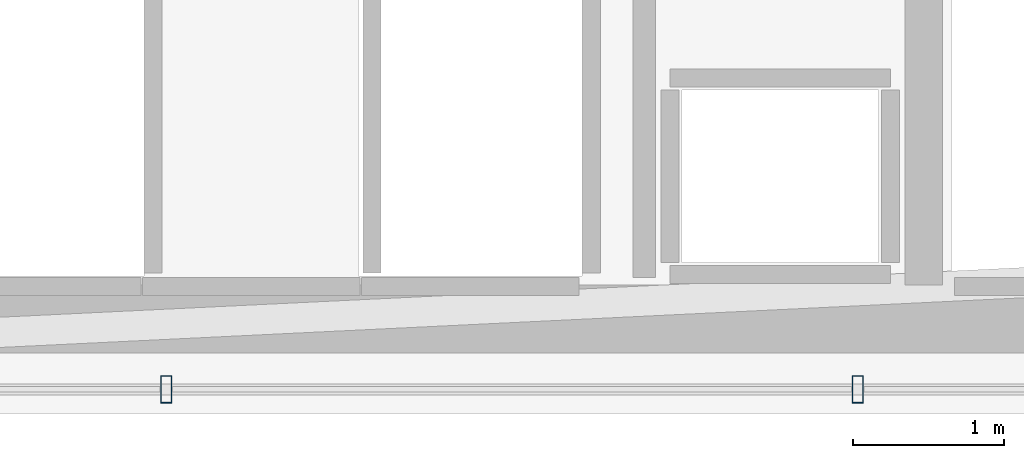
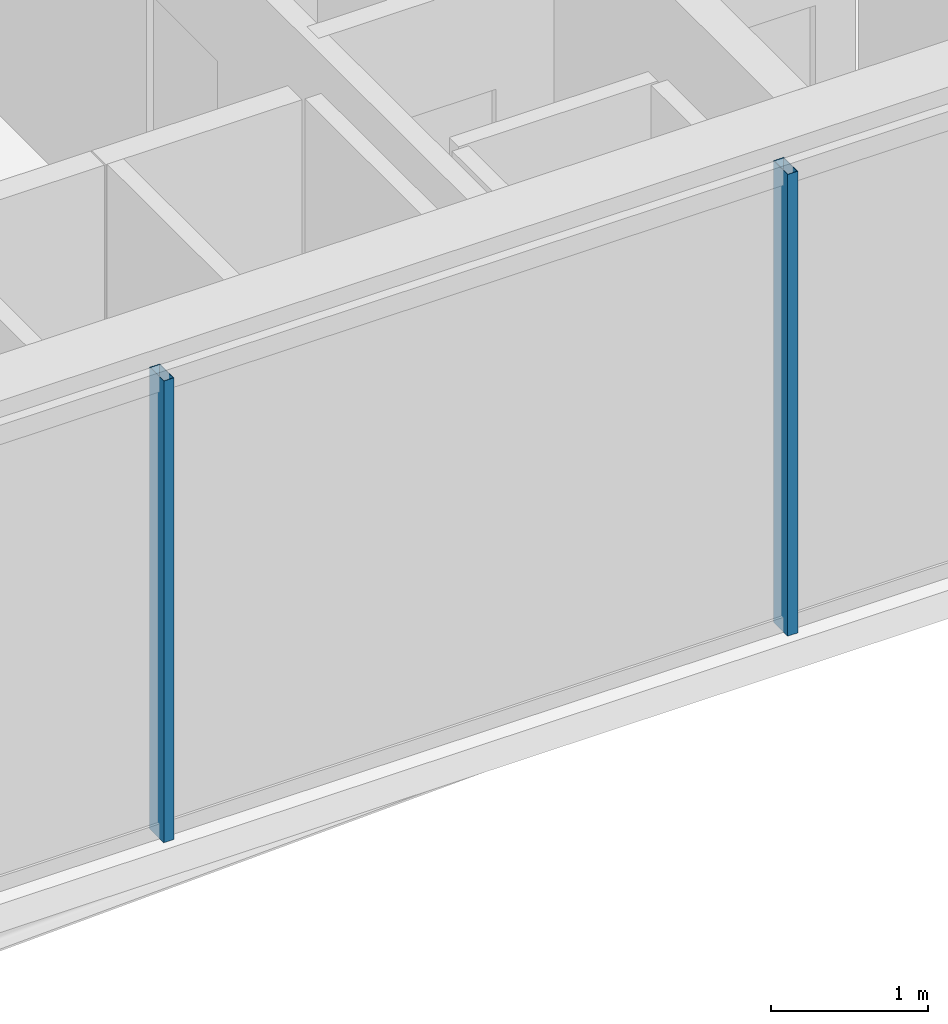
# One storey, part 9 of 32: 2 members, 1 element without a shape of its own.
"""IFC4 building model written with IfcOpenShell, lengths in metres."""

import ifcopenshell
import ifcopenshell.guid

model = None  # the IFC model being written
_history = None  # IfcOwnerHistory: only IFC2X3 demands one
_inside = {}  # id of a spatial element -> (the spatial element, [elements in it])
_under = {}  # id of a project, library or spatial element -> (it, [spatial elements below it])
_declared = {}  # id of a project -> (the project, [libraries it declares])
_typed = {}  # id of a type object -> (the type object, [elements of that type])
_made_of = {}  # id of a material, layer set ... -> (it, [elements and type objects made of it])


def new_model(schema):
    """Start an empty IFC model of exactly this schema.

    Asked for "IFC4X3", IfcOpenShell would pick the latest addendum, in which some entities
    have other attributes; the version numbers below select the first issue.
    IFC2X3 requires an IfcOwnerHistory on every rooted entity: one is made here for all.
    """
    global model, _history
    if schema == "IFC4X3":
        model = ifcopenshell.file(schema_version=(4, 3, 0, 0))
    else:
        model = ifcopenshell.file(schema=schema)
    _inside.clear()
    _under.clear()
    _declared.clear()
    _typed.clear()
    _made_of.clear()
    _history = None
    if model.schema == "IFC2X3":
        org = make("IfcOrganization", Name="unknown")
        user = make(
            "IfcPersonAndOrganization",
            ThePerson=make("IfcPerson", FamilyName="unknown"),
            TheOrganization=org,
        )
        app = make(
            "IfcApplication",
            ApplicationDeveloper=org,
            Version="unknown",
            ApplicationFullName="unknown",
            ApplicationIdentifier="unknown",
        )
        _history = make(
            "IfcOwnerHistory",
            OwningUser=user,
            OwningApplication=app,
            ChangeAction="ADDED",
            CreationDate=0,
        )
    return model


def make(cls, **values):
    """One entity of the class cls with the attributes given. An attribute that is None is left unset."""
    return model.create_entity(
        cls, **{name: value for name, value in values.items() if value is not None}
    )


def rooted(cls, **values):
    """An entity with a GlobalId (a new one), such as an element, a storey or a relation."""
    return make(cls, GlobalId=ifcopenshell.guid.new(), OwnerHistory=_history, **values)


def si_unit(unit_type, name, prefix=None):
    """IfcSIUnit, for example si_unit("LENGTHUNIT", "METRE", prefix="MILLI")."""
    return make("IfcSIUnit", UnitType=unit_type, Prefix=prefix, Name=name)


def assignment(units):
    """IfcUnitAssignment: the units of a project."""
    return None if units is None else make("IfcUnitAssignment", Units=units)


def point(xyz):
    """IfcCartesianPoint."""
    return None if xyz is None else make("IfcCartesianPoint", Coordinates=xyz)


def direction(xyz):
    """IfcDirection."""
    return None if xyz is None else make("IfcDirection", DirectionRatios=xyz)


def frame(location, z_axis=None, x_axis=None):
    """IfcAxis2Placement3D, a coordinate frame: its origin and axes. An axis left out is left unset."""
    return make(
        "IfcAxis2Placement3D",
        Location=point(location),
        Axis=direction(z_axis),
        RefDirection=direction(x_axis),
    )


def frame_2d(location, x_axis=None):
    """IfcAxis2Placement2D, a coordinate frame in the plane: its origin and x axis."""
    return make(
        "IfcAxis2Placement2D", Location=point(location), RefDirection=direction(x_axis)
    )


def origin():
    """The frame at (0, 0, 0) with its axes left unset."""
    return frame((0.0, 0.0, 0.0))


def origin_2d():
    """The frame at (0, 0) in the plane with its x axis left unset."""
    return frame_2d((0.0, 0.0))


def place(relative_to, where):
    """IfcLocalPlacement: puts the frame where relative to a parent placement (None: the world)."""
    return make(
        "IfcLocalPlacement", PlacementRelTo=relative_to, RelativePlacement=where
    )


def context(
    kind, dimensions, precision=None, world=None, true_north=None, identifier=None
):
    """IfcGeometricRepresentationContext, for example the 3D "Model" context."""
    return make(
        "IfcGeometricRepresentationContext",
        ContextIdentifier=identifier,
        ContextType=kind,
        CoordinateSpaceDimension=dimensions,
        Precision=precision,
        WorldCoordinateSystem=world,
        TrueNorth=true_north,
    )


def subcontext(parent, identifier, kind, view, scale=None):
    """IfcGeometricRepresentationSubContext, for example "Body" below "Model"."""
    return make(
        "IfcGeometricRepresentationSubContext",
        ContextIdentifier=identifier,
        ContextType=kind,
        ParentContext=parent,
        TargetScale=scale,
        TargetView=view,
    )


def project(units=None, contexts=None):
    """IfcProject with its units and contexts."""
    return rooted(
        "IfcProject",
        Name="project",
        RepresentationContexts=contexts,
        UnitsInContext=assignment(units),
    )


def spatial(cls, under=None, at=None, **own):
    """A site, building, storey or space (cls), placed at a placement, below another one or the project."""
    s = rooted(cls, ObjectPlacement=at, **own)
    if under is not None:
        _under.setdefault(under.id(), (under, []))[1].append(s)
    return s


def profile(cls, at=None, kind="AREA", **sizes):
    """A parametric profile (cls). Its sizes go by their IFC names, for example OverallWidth=200.0."""
    return make(cls, ProfileType=kind, Position=at, **sizes)


def hollow_rectangle(**sizes):
    """IfcRectangleHollowProfileDef."""
    return profile("IfcRectangleHollowProfileDef", **sizes)


def extrude(swept, where, along, depth):
    """IfcExtrudedAreaSolid: the profile swept, set in the frame where, extruded along a direction by depth."""
    return make(
        "IfcExtrudedAreaSolid",
        SweptArea=swept,
        Position=where,
        ExtrudedDirection=direction(along),
        Depth=depth,
    )


def shape(context_of_items, identifier, shape_type, items):
    """IfcShapeRepresentation: the items that make up one representation, for example the "Body"."""
    return make(
        "IfcShapeRepresentation",
        ContextOfItems=context_of_items,
        RepresentationIdentifier=identifier,
        RepresentationType=shape_type,
        Items=items,
    )


def material(Name=None, Category=None):
    """IfcMaterial."""
    return make("IfcMaterial", Name=Name, Category=Category)


def layer(
    of_material, thickness, ventilated=None, Name=None, Category=None, Priority=None
):
    """IfcMaterialLayer: one layer of a wall or slab, of a material (None: an air gap)."""
    return make(
        "IfcMaterialLayer",
        Material=of_material,
        LayerThickness=thickness,
        IsVentilated=ventilated,
        Name=Name,
        Category=Category,
        Priority=Priority,
    )


def layer_set(layers, Name=None):
    """IfcMaterialLayerSet."""
    return make("IfcMaterialLayerSet", MaterialLayers=layers, LayerSetName=Name)


def material_profile(
    of_material, cross_section, Name=None, Category=None, Priority=None
):
    """IfcMaterialProfile: a cross section and its material."""
    return make(
        "IfcMaterialProfile",
        Name=Name,
        Material=of_material,
        Profile=cross_section,
        Priority=Priority,
        Category=Category,
    )


def profile_set(profiles, Name=None, composite=None):
    """IfcMaterialProfileSet."""
    return make(
        "IfcMaterialProfileSet",
        Name=Name,
        MaterialProfiles=profiles,
        CompositeProfile=composite,
    )


def made_of(thing, what):
    """Note that an element or type object is made of a material, layer set ...; save() writes the relation."""
    if what is not None:
        _made_of.setdefault(what.id(), (what, []))[1].append(thing)
    return thing


def type_object(cls, material=None, **own):
    """A type object (cls), such as IfcWallType, which elements share."""
    return made_of(rooted(cls, **own), material)


def element(
    cls,
    number,
    at=None,
    inside=None,
    cuts=None,
    type_object=None,
    material=None,
    context=None,
    identifier="Body",
    shape_type=None,
    held_by="IfcProductDefinitionShape",
    body=None,
    shapes=None,
    **own,
):
    """One element of the class cls, such as IfcWall. Its Tag is "e" and its number.

    at: its placement. inside: the storey or other place that contains it. cuts: it is an
    opening in that element (IfcRelVoidsElement). A single representation is given by context,
    identifier, shape_type and body (its items); several are given by shapes. held_by: the class
    of the entity that holds the representations. save() writes the other relations.
    """
    e = rooted(cls, Tag="e%d" % number, ObjectPlacement=at, **own)
    if body is not None:
        shapes = [shape(context, identifier, shape_type, body)]
    if shapes is not None:
        e.Representation = make(held_by, Representations=shapes)
    if inside is not None:
        _inside.setdefault(inside.id(), (inside, []))[1].append(e)
    if cuts is not None:
        rooted(
            "IfcRelVoidsElement", RelatingBuildingElement=cuts, RelatedOpeningElement=e
        )
    if type_object is not None:
        _typed.setdefault(type_object.id(), (type_object, []))[1].append(e)
    return made_of(e, material)


def aggregate(whole, parts):
    """IfcRelAggregates: a whole, such as a stair, and the parts it consists of."""
    return rooted("IfcRelAggregates", RelatingObject=whole, RelatedObjects=parts)


def save(model, path):
    """Write the relations noted so far, then the file.

    IfcRelAggregates (storeys below a building ...), IfcRelContainedInSpatialStructure (elements
    in a storey), IfcRelDefinesByType, IfcRelAssociatesMaterial and IfcRelDeclares: one each for
    every whole, place, type object, material and project.
    """
    for whole, parts in _under.values():
        aggregate(whole, parts)
    for where, things in _inside.values():
        rooted(
            "IfcRelContainedInSpatialStructure",
            RelatedElements=things,
            RelatingStructure=where,
        )
    for kind, things in _typed.values():
        rooted("IfcRelDefinesByType", RelatedObjects=things, RelatingType=kind)
    for what, things in _made_of.values():
        rooted("IfcRelAssociatesMaterial", RelatedObjects=things, RelatingMaterial=what)
    for by, libraries in _declared.values():
        rooted("IfcRelDeclares", RelatingContext=by, RelatedDefinitions=libraries)
    model.write(path)


model = new_model("IFC4")

# Units and contexts
model_context = context("Model", 3, precision=1e-05, world=origin(), true_north=direction((0.0, 1.0)))
body_context = subcontext(model_context, "Body", "Model", "MODEL_VIEW")
ifc_project = project(units=[si_unit("LENGTHUNIT", "METRE"), si_unit("AREAUNIT", "SQUARE_METRE"), si_unit("VOLUMEUNIT", "CUBIC_METRE"), si_unit("PLANEANGLEUNIT", "RADIAN"), si_unit("MASSUNIT", "GRAM", prefix="KILO")], contexts=[model_context])

# Site, building, storey
site_placement = place(None, origin())
site = spatial("IfcSite", under=ifc_project, at=site_placement, CompositionType="ELEMENT")
building_placement = place(site_placement, origin())
building = spatial("IfcBuilding", under=site, at=building_placement, Name="Ndaravel Arena Tower", CompositionType="ELEMENT")
storey_placement = place(building_placement, frame((0.0, 0.0, 70.199951171875)))
storey = spatial("IfcBuildingStorey", under=building, at=storey_placement, Name="L15", CompositionType="ELEMENT", Elevation=70.199951171875)

# Curtain wall, members
ifc_material_1 = material(Name="Aluminium", Category="aluminium")
ifc_layer = layer(ifc_material_1, 0.179931640625)
ifc_layer_set = layer_set([ifc_layer], Name="Aluminium")
curtain_wall_type = type_object("IfcCurtainWallType", Name="CW-SYS-03", PredefinedType="NOTDEFINED", material=ifc_layer_set)
curtain_wall_placement = place(storey_placement, origin())
curtain_wall = element("IfcCurtainWall", 1, at=curtain_wall_placement, inside=storey, type_object=curtain_wall_type, Name="L15 Faceted Crystal Curtain Wall CW-L15-E01", PredefinedType="NOTDEFINED")
ifc_material_2 = material(Name="Aluminium", Category="aluminium")
ifc_material_profile = material_profile(ifc_material_2, hollow_rectangle(XDim=0.074951171875, YDim=0.179931640625, WallThickness=0.00390625, at=origin_2d()), Name="CW MULLION 75x180x4")
ifc_profile_set = profile_set([ifc_material_profile], Name="Aluminium")
member_type = type_object("IfcMemberType", Name="MEM-CW-MUL180", PredefinedType="MULLION", material=ifc_profile_set)
member_1_placement = place(storey_placement, frame((44.287841796875, 5.159912109375, 0.0), z_axis=(0.0, 0.0, 1.0), x_axis=(1.0, 0.0, 0.0)))
member_1 = element("IfcMember", 2, at=member_1_placement, type_object=member_type, Name="CW-L15-E01 Mullion 04", PredefinedType="MULLION", context=body_context, shape_type="SweptSolid", body=[
    extrude(hollow_rectangle(XDim=0.074951171875, YDim=0.179931640625, WallThickness=0.00390625, at=origin_2d()), origin(), (0.0, 0.0, 1.0), 3.580078125),
])
member_2_placement = place(storey_placement, frame((48.863525390625, 5.159912109375, 0.0), z_axis=(0.0, 0.0, 1.0), x_axis=(1.0, 0.0, 0.0)))
member_2 = element("IfcMember", 3, at=member_2_placement, type_object=member_type, Name="CW-L15-E01 Mullion 05", PredefinedType="MULLION", context=body_context, shape_type="SweptSolid", body=[
    extrude(hollow_rectangle(XDim=0.074951171875, YDim=0.179931640625, WallThickness=0.00390625, at=origin_2d()), origin(), (0.0, 0.0, 1.0), 3.580078125),
])
aggregate(curtain_wall, [member_1, member_2])

save(model, "model.ifc")
